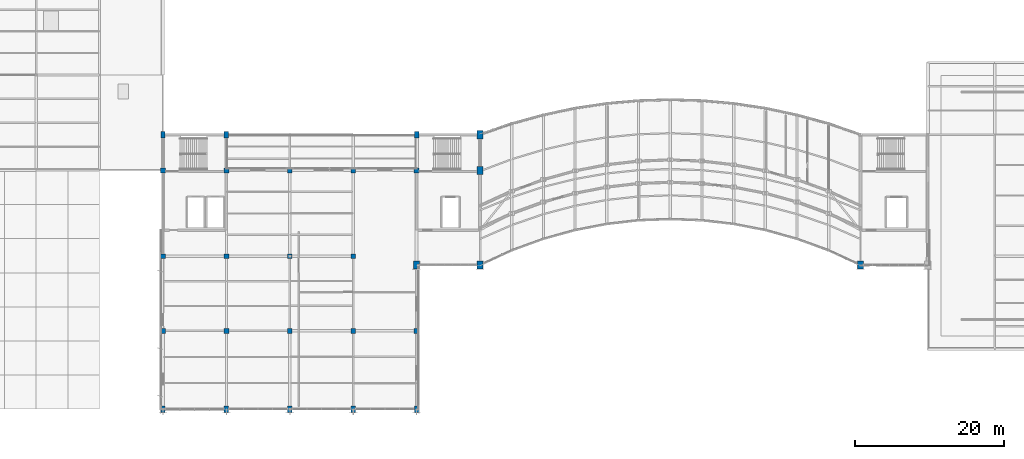
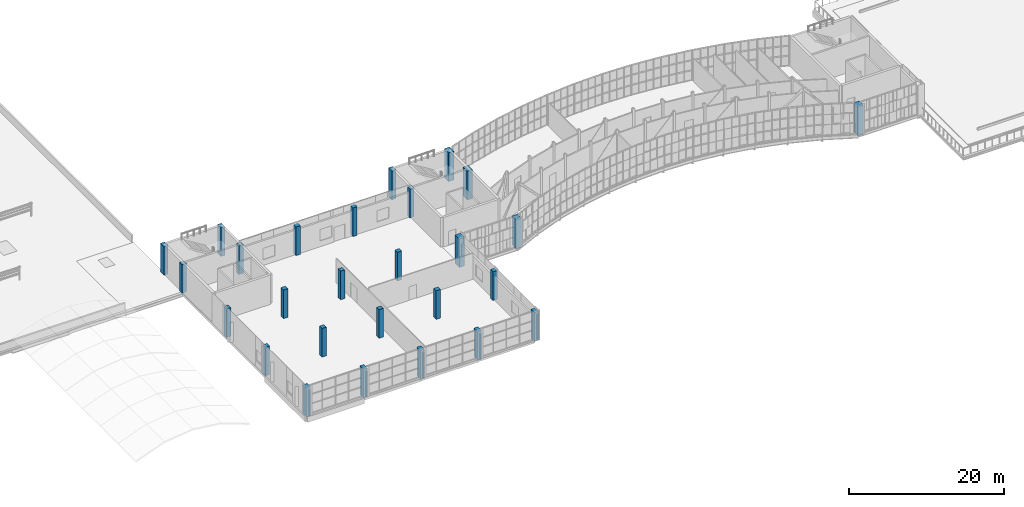
# One storey, part 1 of 66: 27 columns.
"""IFC4 building model written with IfcOpenShell, lengths in metres."""

from ifc_helpers import new_model, si_unit, direction, frame, origin, origin_2d, place, context, subcontext, project, spatial, rectangle, extrude, material, material_profile, profile_set, type_object, element, save


model = new_model("IFC4")

# Units and contexts
model_context = context("Model", 3, precision=1e-05, world=origin(), true_north=direction((0.0, 1.0)))
body_context = subcontext(model_context, "Body", "Model", "MODEL_VIEW")
ifc_project = project(units=[si_unit("LENGTHUNIT", "METRE"), si_unit("AREAUNIT", "SQUARE_METRE"), si_unit("VOLUMEUNIT", "CUBIC_METRE"), si_unit("PLANEANGLEUNIT", "RADIAN"), si_unit("MASSUNIT", "GRAM", prefix="KILO")], contexts=[model_context])

# Site, building, storey
site_placement = place(None, origin())
site = spatial("IfcSite", under=ifc_project, at=site_placement, CompositionType="ELEMENT")
building_placement = place(site_placement, origin())
building = spatial("IfcBuilding", under=site, at=building_placement, Name="Solvikara Media Centre", CompositionType="ELEMENT")
storey_placement = place(building_placement, frame((0.0, 0.0, 19.800048828125)))
storey = spatial("IfcBuildingStorey", under=building, at=storey_placement, Name="L04", CompositionType="ELEMENT", Elevation=19.800048828125)

# Columns
ifc_material = material(Name="Concrete fc' 45 MPa (C45/55)", Category="concrete")
ifc_material_profile_1 = material_profile(ifc_material, rectangle(XDim=0.64990234375, YDim=0.64990234375, at=origin_2d()), Name="RC 650x650")
ifc_profile_set_1 = profile_set([ifc_material_profile_1], Name="Concrete fc' 45 MPa (C45/55)")
column_type_1 = type_object("IfcColumnType", Name="CL-02", PredefinedType="COLUMN", material=ifc_profile_set_1)
column_1_placement = place(storey_placement, frame((34.0, 10.5, 0.0), z_axis=(0.0, 0.0, 1.0), x_axis=(1.0, 0.0, 0.0)))
element("IfcColumn", 1, at=column_1_placement, inside=storey, type_object=column_type_1, Name="C-L04-0340-0105", PredefinedType="COLUMN", context=body_context, shape_type="SweptSolid", body=[
    extrude(rectangle(XDim=0.64990234375, YDim=0.64990234375, at=origin_2d()), origin(), (0.0, 0.0, 1.0), 4.530029296875),
])
for number, where, z_axis, x_axis, name in (
    (2, (34.0, 20.5, 0.0), (0.0, 0.0, 1.0), (1.0, 0.0, 0.0), "C-L04-0340-0205"),
    (3, (34.0, 32.0, 0.0), (0.0, 0.0, 1.0), (1.0, 0.0, 0.0), "C-L04-0340-0320"),
):
    element("IfcColumn", number, at=place(storey_placement, frame(where, z_axis=z_axis, x_axis=x_axis)), inside=storey, type_object=column_type_1, Name=name, PredefinedType="COLUMN", context=body_context, shape_type="SweptSolid", body=[
        extrude(rectangle(XDim=0.64990234375, YDim=0.64990234375, at=origin_2d()), origin(), (0.0, 0.0, 1.0), 4.52001953125),
    ])
column_2_placement = place(storey_placement, frame((42.5, 10.5, 0.0), z_axis=(0.0, 0.0, 1.0), x_axis=(1.0, 0.0, 0.0)))
element("IfcColumn", 4, at=column_2_placement, inside=storey, type_object=column_type_1, Name="C-L04-0425-0105", PredefinedType="COLUMN", context=body_context, shape_type="SweptSolid", body=[
    extrude(rectangle(XDim=0.64990234375, YDim=0.64990234375, at=origin_2d()), origin(), (0.0, 0.0, 1.0), 4.530029296875),
])
for number, where, z_axis, x_axis, name in (
    (5, (42.5, 20.5, 0.0), (0.0, 0.0, 1.0), (1.0, 0.0, 0.0), "C-L04-0425-0205"),
    (6, (42.5, 32.0, 0.0), (0.0, 0.0, 1.0), (1.0, 0.0, 0.0), "C-L04-0425-0320"),
    (7, (51.0, 10.5, 0.0), (0.0, 0.0, 1.0), (1.0, 0.0, 0.0), "C-L04-0510-0105"),
    (8, (51.0, 20.5, 0.0), (0.0, 0.0, 1.0), (1.0, 0.0, 0.0), "C-L04-0510-0205"),
    (9, (51.0, 32.0, 0.0), (0.0, 0.0, 1.0), (1.0, 0.0, 0.0), "C-L04-0510-0320"),
    (10, (59.5, 10.5, 0.0), (0.0, 0.0, 1.0), (1.0, 0.0, 0.0), "C-L04-0595-0105"),
    (11, (59.5, 20.5, 0.0), (0.0, 0.0, 1.0), (1.0, 0.0, 0.0), "C-L04-0595-0205"),
    (12, (59.5, 32.0, 0.0), (0.0, 0.0, 1.0), (1.0, 0.0, 0.0), "C-L04-0595-0320"),
    (13, (68.0, 10.5, 0.0), (0.0, 0.0, 1.0), (1.0, 0.0, 0.0), "C-L04-0680-0105"),
    (14, (68.0, 32.0, 0.0), (0.0, 0.0, 1.0), (1.0, 0.0, 0.0), "C-L04-0680-0320"),
):
    element("IfcColumn", number, at=place(storey_placement, frame(where, z_axis=z_axis, x_axis=x_axis)), inside=storey, type_object=column_type_1, Name=name, PredefinedType="COLUMN", context=body_context, shape_type="SweptSolid", body=[
        extrude(rectangle(XDim=0.64990234375, YDim=0.64990234375, at=origin_2d()), origin(), (0.0, 0.0, 1.0), 4.52001953125),
    ])
ifc_material_profile_2 = material_profile(ifc_material, rectangle(XDim=0.60009765625, YDim=0.89990234375, at=origin_2d()), Name="RC 600x900")
ifc_profile_set_2 = profile_set([ifc_material_profile_2], Name="Concrete fc' 45 MPa (C45/55)")
column_type_2 = type_object("IfcColumnType", Name="CL-10", PredefinedType="COLUMN", material=ifc_profile_set_2)
column_3_placement = place(storey_placement, frame((34.0, 0.0, 0.0), z_axis=(0.0, 0.0, 1.0), x_axis=(1.0, 0.0, 0.0)))
element("IfcColumn", 15, at=column_3_placement, inside=storey, type_object=column_type_2, Name="C-L04-0340-0000", PredefinedType="COLUMN", context=body_context, shape_type="SweptSolid", body=[
    extrude(rectangle(XDim=0.60009765625, YDim=0.89990234375, at=origin_2d()), origin(), (0.0, 0.0, 1.0), 4.530029296875),
])
column_4_placement = place(storey_placement, frame((34.0, 36.800048828125, 0.0), z_axis=(0.0, 0.0, 1.0), x_axis=(1.0, 0.0, 0.0)))
element("IfcColumn", 16, at=column_4_placement, inside=storey, type_object=column_type_2, Name="C-L04-0340-0368", PredefinedType="COLUMN", context=body_context, shape_type="SweptSolid", body=[
    extrude(rectangle(XDim=0.60009765625, YDim=0.89990234375, at=origin_2d()), origin(), (0.0, 0.0, 1.0), 4.52001953125),
])
column_5_placement = place(storey_placement, frame((42.5, 0.0, 0.0), z_axis=(0.0, 0.0, 1.0), x_axis=(1.0, 0.0, 0.0)))
element("IfcColumn", 17, at=column_5_placement, inside=storey, type_object=column_type_2, Name="C-L04-0425-0000", PredefinedType="COLUMN", context=body_context, shape_type="SweptSolid", body=[
    extrude(rectangle(XDim=0.60009765625, YDim=0.89990234375, at=origin_2d()), origin(), (0.0, 0.0, 1.0), 4.530029296875),
])
for number, where, z_axis, x_axis, name in (
    (18, (42.5, 36.800048828125, 0.0), (0.0, 0.0, 1.0), (1.0, 0.0, 0.0), "C-L04-0425-0368"),
    (19, (51.0, 0.0, 0.0), (0.0, 0.0, 1.0), (1.0, 0.0, 0.0), "C-L04-0510-0000"),
    (20, (59.5, 0.0, 0.0), (0.0, 0.0, 1.0), (1.0, 0.0, 0.0), "C-L04-0595-0000"),
    (21, (68.0, 0.0, 0.0), (0.0, 0.0, 1.0), (1.0, 0.0, 0.0), "C-L04-0680-0000"),
):
    element("IfcColumn", number, at=place(storey_placement, frame(where, z_axis=z_axis, x_axis=x_axis)), inside=storey, type_object=column_type_2, Name=name, PredefinedType="COLUMN", context=body_context, shape_type="SweptSolid", body=[
        extrude(rectangle(XDim=0.60009765625, YDim=0.89990234375, at=origin_2d()), origin(), (0.0, 0.0, 1.0), 4.52001953125),
    ])
column_6_placement = place(storey_placement, frame((68.0, 36.800048828125, 0.0), z_axis=(0.0, 0.0, 1.0), x_axis=(1.0, 0.0, 0.0)))
element("IfcColumn", 22, at=column_6_placement, inside=storey, type_object=column_type_2, Name="C-L04-0680-0368", PredefinedType="COLUMN", context=body_context, shape_type="SweptSolid", body=[
    extrude(rectangle(XDim=0.60009765625, YDim=0.89990234375, at=origin_2d()), origin(), (0.0, 0.0, 1.0), 4.5400390625),
])
ifc_material_profile_3 = material_profile(ifc_material, rectangle(XDim=0.800048828125, YDim=1.10009765625, at=origin_2d()), Name="RC 800x1100")
ifc_profile_set_3 = profile_set([ifc_material_profile_3], Name="Concrete fc' 45 MPa (C45/55)")
column_type_3 = type_object("IfcColumnType", Name="CL-17", PredefinedType="COLUMN", material=ifc_profile_set_3)
for number, where, z_axis, x_axis, name in (
    (23, (76.5, 32.0, 0.0), (0.0, 0.0, 1.0), (1.0, 0.0, 0.0), "C-L04-0765-0320"),
    (24, (76.5, 36.800048828125, 0.0), (0.0, 0.0, 1.0), (1.0, 0.0, 0.0), "C-L04-0765-0368"),
):
    element("IfcColumn", number, at=place(storey_placement, frame(where, z_axis=z_axis, x_axis=x_axis)), inside=storey, type_object=column_type_3, Name=name, PredefinedType="COLUMN", context=body_context, shape_type="SweptSolid", body=[
        extrude(rectangle(XDim=0.800048828125, YDim=1.10009765625, at=origin_2d()), origin(), (0.0, 0.0, 1.0), 4.5400390625),
    ])
column_7_placement = place(storey_placement, frame((68.0, 19.323974609375, 0.0), z_axis=(0.0, 0.0, 1.0), x_axis=(1.0, 0.0, 0.0)))
element("IfcColumn", 25, at=column_7_placement, inside=storey, type_object=column_type_3, Name="C-L04-0680-0193", PredefinedType="COLUMN", context=body_context, shape_type="SweptSolid", body=[
    extrude(rectangle(XDim=0.800048828125, YDim=1.10009765625, at=origin_2d()), origin(), (0.0, 0.0, 1.0), 4.52001953125),
])
for number, where, z_axis, x_axis, name in (
    (26, (76.5, 19.323974609375, 0.0), (0.0, 0.0, 1.0), (1.0, 0.0, 0.0), "C-L04-0765-0193"),
    (27, (127.5, 19.323974609375, 0.0), (0.0, 0.0, 1.0), (1.0, 0.0, 0.0), "C-L04-1275-0193"),
):
    element("IfcColumn", number, at=place(storey_placement, frame(where, z_axis=z_axis, x_axis=x_axis)), inside=storey, type_object=column_type_3, Name=name, PredefinedType="COLUMN", context=body_context, shape_type="SweptSolid", body=[
        extrude(rectangle(XDim=0.800048828125, YDim=1.10009765625, at=origin_2d()), origin(), (0.0, 0.0, 1.0), 4.5400390625),
    ])

save(model, "model.ifc")
